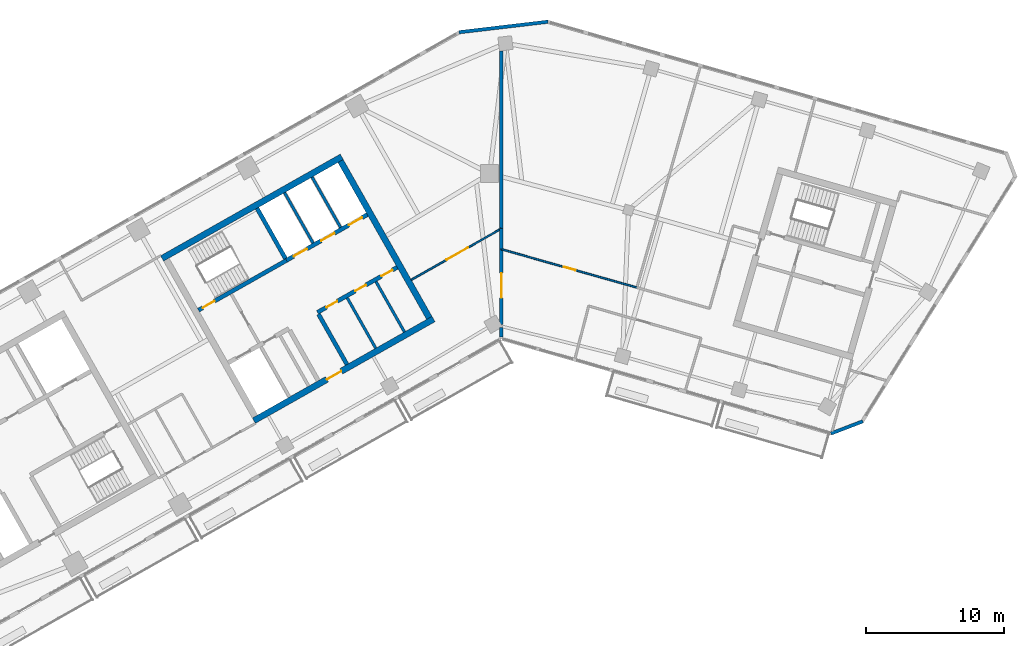
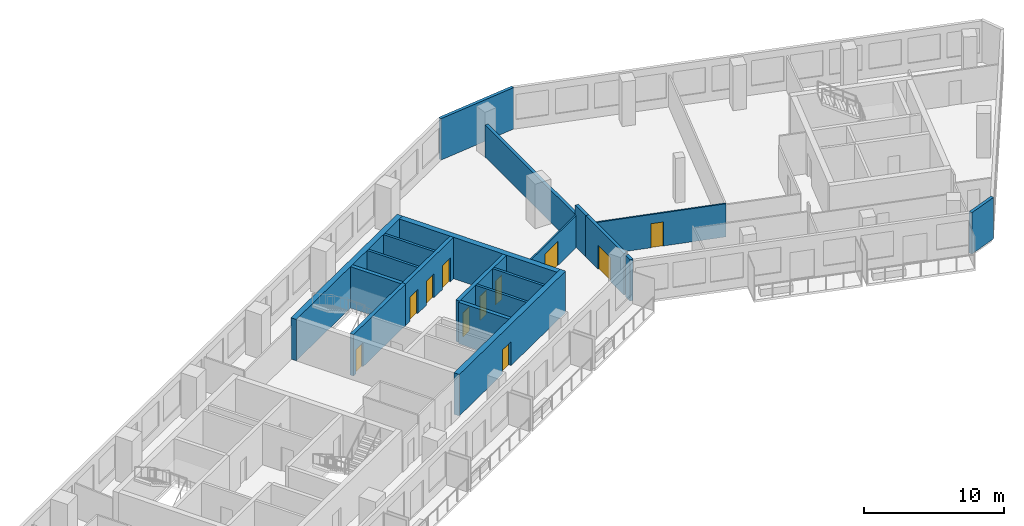
# One storey, part 6 of 12: 20 walls, 11 doors, 11 openings.
"""IFC4 building model written with IfcOpenShell, lengths in metres."""

from ifc_helpers import new_model, si_unit, direction, frame, frame_2d, origin, place, context, subcontext, project, spatial, rectangle, extrude, material, layer, layer_set, type_object, element, fill, save


model = new_model("IFC4")

# Units and contexts
model_context = context("Model", 3, precision=1e-05, world=origin(), true_north=direction((0.0, 1.0)))
body_context = subcontext(model_context, "Body", "Model", "MODEL_VIEW")
ifc_project = project(units=[si_unit("LENGTHUNIT", "METRE"), si_unit("AREAUNIT", "SQUARE_METRE"), si_unit("VOLUMEUNIT", "CUBIC_METRE"), si_unit("PLANEANGLEUNIT", "RADIAN"), si_unit("MASSUNIT", "GRAM", prefix="KILO")], contexts=[model_context])

# Site, building, storey
site_placement = place(None, origin())
site = spatial("IfcSite", under=ifc_project, at=site_placement, CompositionType="ELEMENT")
building_placement = place(site_placement, origin())
building = spatial("IfcBuilding", under=site, at=building_placement, Name="Binnacle Exchange Tower", CompositionType="ELEMENT")
storey_placement = place(building_placement, frame((0.0, 0.0, 242.60009765625)))
storey = spatial("IfcBuildingStorey", under=building, at=storey_placement, Name="L53", CompositionType="ELEMENT", Elevation=242.60009765625)

# Walls
ifc_material_1 = material(Name="Gypsum partition fire rated")
ifc_layer_1 = layer(ifc_material_1, 0.199951171875)
ifc_layer_set_1 = layer_set([ifc_layer_1], Name="Core partition 200")
wall_type_1 = type_object("IfcWallType", Name="Core partition 200", PredefinedType="PARTITIONING", material=ifc_layer_set_1)
wall_1_placement = place(storey_placement, frame((-11.201904296875, 50.96240234375, 0.0), z_axis=(0.0, 0.0, 1.0), x_axis=(0.492453686477, -0.870338650569, 0.0)))
element("IfcWall", 1, at=wall_1_placement, inside=storey, type_object=wall_type_1, Name="Core wall CRWC19", PredefinedType="PARTITIONING", context=body_context, shape_type="SweptSolid", body=[
    extrude(rectangle(XDim=4.2001953125, YDim=0.199951171875, at=frame_2d((2.10009765625, 0.0))), origin(), (0.0, 0.0, 1.0), 3.619873046875),
])
wall_2_placement = place(storey_placement, frame((-9.11279296875, 52.14404296875, 0.0), z_axis=(0.0, 0.0, 1.0), x_axis=(0.492365617434, -0.870388475779, 0.0)))
element("IfcWall", 2, at=wall_2_placement, inside=storey, type_object=wall_type_1, Name="Core wall CRWC22", PredefinedType="PARTITIONING", context=body_context, shape_type="SweptSolid", body=[
    extrude(rectangle(XDim=4.199951171875, YDim=0.199951171875, at=frame_2d((2.10009765625, 0.0))), origin(), (0.0, 0.0, 1.0), 3.619873046875),
])

# Wall, openings, doors
ifc_material_2 = material(Name="Concrete C70/85", Category="concrete")
ifc_layer_2 = layer(ifc_material_2, 0.300048828125)
ifc_layer_set_2 = layer_set([ifc_layer_2], Name="Core wall - front 300")
wall_type_2 = type_object("IfcWallType", Name="Core wall - front 300", PredefinedType="SOLIDWALL", material=ifc_layer_set_2)
wall_3_placement = place(storey_placement, frame((-13.364501953125, 49.910888671875, 0.0), z_axis=(0.0, 0.0, 1.0), x_axis=(0.870352159619, 0.492429810477, 0.0)))
wall_3 = element("IfcWall", 3, at=wall_3_placement, inside=storey, type_object=wall_type_2, Name="Core wall CRWC3", PredefinedType="SOLIDWALL", context=body_context, shape_type="SweptSolid", body=[
    extrude(rectangle(XDim=6.64990234375, YDim=0.300048828125, at=frame_2d((3.324951171875, 0.0))), origin(), (0.0, 0.0, 1.0), 3.619873046875),
])
opening_1_placement = place(wall_3_placement, frame((0.75, 0.0, 0.0)))
opening_1 = element("IfcOpeningElement", 4, at=opening_1_placement, cuts=wall_3, Name="Opening DC18", PredefinedType="OPENING", context=body_context, shape_type="SweptSolid", body=[
    extrude(rectangle(XDim=0.89990234375, YDim=2.10009765625, at=frame_2d((0.449951171875, 1.050048828125))), frame((0.0, 0.159912109375, 0.0), z_axis=(0.0, -1.0, 0.0), x_axis=(1.0, 0.0, 0.0)), (0.0, 0.0, 1.0), 0.320068359375),
])
opening_2_placement = place(wall_3_placement, frame((3.14990234375, 0.0, 0.0)))
opening_2 = element("IfcOpeningElement", 5, at=opening_2_placement, cuts=wall_3, Name="Opening DC19", PredefinedType="OPENING", context=body_context, shape_type="SweptSolid", body=[
    extrude(rectangle(XDim=0.89990234375, YDim=2.10009765625, at=frame_2d((0.449951171875, 1.050048828125))), frame((0.0, 0.159912109375, 0.0), z_axis=(0.0, -1.0, 0.0), x_axis=(1.0, 0.0, 0.0)), (0.0, 0.0, 1.0), 0.320068359375),
])
opening_3_placement = place(wall_3_placement, frame((5.35009765625, 0.0, 0.0)))
opening_3 = element("IfcOpeningElement", 6, at=opening_3_placement, cuts=wall_3, Name="Opening DC20", PredefinedType="OPENING", context=body_context, shape_type="SweptSolid", body=[
    extrude(rectangle(XDim=0.89990234375, YDim=2.10009765625, at=frame_2d((0.449951171875, 1.050048828125))), frame((0.0, 0.159912109375, 0.0), z_axis=(0.0, -1.0, 0.0), x_axis=(1.0, 0.0, 0.0)), (0.0, 0.0, 1.0), 0.320068359375),
])
ifc_material_3 = material(Name="Steel door leaf", Category="steel")
door_type_1 = type_object("IfcDoorType", Name="Fire door 900", OperationType="NOTDEFINED", PredefinedType="DOOR", material=ifc_material_3)
door_1_placement = place(opening_1_placement, frame((0.89990234375, 0.0, 0.0), z_axis=(0.0, 0.0, 1.0), x_axis=(-1.0, 0.0, 0.0)))
door_1 = element("IfcDoor", 7, at=door_1_placement, inside=storey, type_object=door_type_1, Name="Core room door IT STORE", OperationType="SINGLE_SWING_RIGHT", OverallHeight=2.10009765625, OverallWidth=0.89990234375, PredefinedType="DOOR", context=body_context, shape_type="SweptSolid", body=[
    extrude(rectangle(XDim=0.89990234375, YDim=2.10009765625, at=frame_2d((0.449951171875, 1.050048828125))), frame((0.0, 0.02490234375, 0.0), z_axis=(0.0, -1.0, 0.0), x_axis=(1.0, 0.0, 0.0)), (0.0, 0.0, 1.0), 0.050048828125),
])
fill(opening_1, door_1)
door_2_placement = place(opening_2_placement, frame((0.89990234375, 0.0, 0.0), z_axis=(0.0, 0.0, 1.0), x_axis=(-1.0, 0.0, 0.0)))
door_2 = element("IfcDoor", 8, at=door_2_placement, inside=storey, type_object=door_type_1, Name="Core room door UPS CUPBOARD", OperationType="SINGLE_SWING_LEFT", OverallHeight=2.10009765625, OverallWidth=0.89990234375, PredefinedType="DOOR", context=body_context, shape_type="SweptSolid", body=[
    extrude(rectangle(XDim=0.89990234375, YDim=2.10009765625, at=frame_2d((0.449951171875, 1.050048828125))), frame((0.0, 0.02490234375, 0.0), z_axis=(0.0, -1.0, 0.0), x_axis=(1.0, 0.0, 0.0)), (0.0, 0.0, 1.0), 0.050048828125),
])
fill(opening_2, door_2)
door_3_placement = place(opening_3_placement, frame((0.89990234375, 0.0, 0.0), z_axis=(0.0, 0.0, 1.0), x_axis=(-1.0, 0.0, 0.0)))
door_3 = element("IfcDoor", 9, at=door_3_placement, inside=storey, type_object=door_type_1, Name="Core room door FIBRE ENTRY ROOM", OperationType="SINGLE_SWING_LEFT", OverallHeight=2.10009765625, OverallWidth=0.89990234375, PredefinedType="DOOR", context=body_context, shape_type="SweptSolid", body=[
    extrude(rectangle(XDim=0.89990234375, YDim=2.10009765625, at=frame_2d((0.449951171875, 1.050048828125))), frame((0.0, 0.02490234375, 0.0), z_axis=(0.0, -1.0, 0.0), x_axis=(1.0, 0.0, 0.0)), (0.0, 0.0, 1.0), 0.050048828125),
])
fill(opening_3, door_3)

wall_4_placement = place(storey_placement, frame((-15.6181640625, 53.69140625, 0.0), z_axis=(0.0, 0.0, 1.0), x_axis=(0.870358646884, 0.492418344291, 0.0)))
wall_4 = element("IfcWall", 10, at=wall_4_placement, inside=storey, type_object=wall_type_2, Name="Core wall CRWC5", PredefinedType="SOLIDWALL", context=body_context, shape_type="SweptSolid", body=[
    extrude(rectangle(XDim=6.749755859375, YDim=0.300048828125, at=frame_2d((3.375, 0.0))), origin(), (0.0, 0.0, 1.0), 3.619873046875),
])
opening_4_placement = place(wall_4_placement, frame((0.60009765625, 0.0, 0.0)))
opening_4 = element("IfcOpeningElement", 11, at=opening_4_placement, cuts=wall_4, Name="Opening LD5", PredefinedType="OPENING", context=body_context, shape_type="SweptSolid", body=[
    extrude(rectangle(XDim=1.10009765625, YDim=2.10009765625, at=frame_2d((0.550048828125, 1.050048828125))), frame((0.0, 0.159912109375, 0.0), z_axis=(0.0, -1.0, 0.0), x_axis=(1.0, 0.0, 0.0)), (0.0, 0.0, 1.0), 0.320068359375),
])
opening_5_placement = place(wall_4_placement, frame((2.89990234375, 0.0, 0.0)))
opening_5 = element("IfcOpeningElement", 12, at=opening_5_placement, cuts=wall_4, Name="Opening LD6", PredefinedType="OPENING", context=body_context, shape_type="SweptSolid", body=[
    extrude(rectangle(XDim=1.10009765625, YDim=2.10009765625, at=frame_2d((0.550048828125, 1.050048828125))), frame((0.0, 0.159912109375, 0.0), z_axis=(0.0, -1.0, 0.0), x_axis=(1.0, 0.0, 0.0)), (0.0, 0.0, 1.0), 0.320068359375),
])
opening_6_placement = place(wall_4_placement, frame((5.199951171875, 0.0, 0.0)))
opening_6 = element("IfcOpeningElement", 13, at=opening_6_placement, cuts=wall_4, Name="Opening LD7", PredefinedType="OPENING", context=body_context, shape_type="SweptSolid", body=[
    extrude(rectangle(XDim=1.10009765625, YDim=2.10009765625, at=frame_2d((0.550048828125, 1.050048828125))), frame((0.0, 0.159912109375, 0.0), z_axis=(0.0, -1.0, 0.0), x_axis=(1.0, 0.0, 0.0)), (0.0, 0.0, 1.0), 0.320068359375),
])
door_type_2 = type_object("IfcDoorType", Name="Fire door - lift landing 1100", OperationType="NOTDEFINED", PredefinedType="DOOR", material=ifc_material_3)
door_4_placement = place(opening_4_placement, origin())
door_4 = element("IfcDoor", 14, at=door_4_placement, inside=storey, type_object=door_type_2, Name="Landing door LD5 L53", OperationType="DOUBLE_DOOR_SLIDING", OverallHeight=2.10009765625, OverallWidth=1.10009765625, PredefinedType="DOOR", context=body_context, shape_type="SweptSolid", body=[
    extrude(rectangle(XDim=1.10009765625, YDim=2.10009765625, at=frame_2d((0.550048828125, 1.050048828125))), frame((0.0, 0.02490234375, 0.0), z_axis=(0.0, -1.0, 0.0), x_axis=(1.0, 0.0, 0.0)), (0.0, 0.0, 1.0), 0.050048828125),
])
fill(opening_4, door_4)
door_5_placement = place(opening_5_placement, origin())
door_5 = element("IfcDoor", 15, at=door_5_placement, inside=storey, type_object=door_type_2, Name="Landing door LD6 L53", OperationType="DOUBLE_DOOR_SLIDING", OverallHeight=2.10009765625, OverallWidth=1.10009765625, PredefinedType="DOOR", context=body_context, shape_type="SweptSolid", body=[
    extrude(rectangle(XDim=1.10009765625, YDim=2.10009765625, at=frame_2d((0.550048828125, 1.050048828125))), frame((0.0, 0.02490234375, 0.0), z_axis=(0.0, -1.0, 0.0), x_axis=(1.0, 0.0, 0.0)), (0.0, 0.0, 1.0), 0.050048828125),
])
fill(opening_5, door_5)
door_6_placement = place(opening_6_placement, origin())
door_6 = element("IfcDoor", 16, at=door_6_placement, inside=storey, type_object=door_type_2, Name="Landing door LD7 L53", OperationType="DOUBLE_DOOR_SLIDING", OverallHeight=2.10009765625, OverallWidth=1.10009765625, PredefinedType="DOOR", context=body_context, shape_type="SweptSolid", body=[
    extrude(rectangle(XDim=1.10009765625, YDim=2.10009765625, at=frame_2d((0.550048828125, 1.050048828125))), frame((0.0, 0.02490234375, 0.0), z_axis=(0.0, -1.0, 0.0), x_axis=(1.0, 0.0, 0.0)), (0.0, 0.0, 1.0), 0.050048828125),
])
fill(opening_6, door_6)

# Wall
wall_5_placement = place(storey_placement, frame((-13.29052734375, 49.780517578125, 0.0), z_axis=(0.0, 0.0, 1.0), x_axis=(0.492409653846, -0.870363563575, 0.0)))
element("IfcWall", 17, at=wall_5_placement, inside=storey, type_object=wall_type_2, Name="Core wall CRWC15", PredefinedType="SOLIDWALL", context=body_context, shape_type="SweptSolid", body=[
    extrude(rectangle(XDim=4.199951171875, YDim=0.300048828125, at=frame_2d((2.10009765625, 0.0))), origin(), (0.0, 0.0, 1.0), 3.619873046875),
])

# Wall, opening, door
ifc_layer_3 = layer(ifc_material_2, 0.449951171875)
ifc_layer_set_3 = layer_set([ifc_layer_3], Name="Core wall - outer 450")
wall_type_3 = type_object("IfcWallType", Name="Core wall - outer 450", PredefinedType="SOLIDWALL", material=ifc_layer_set_3)
wall_6_placement = place(storey_placement, frame((-17.987548828125, 42.0390625, 0.0), z_axis=(0.0, 0.0, 1.0), x_axis=(0.870360574057, 0.492414937962, 0.0)))
wall_6 = element("IfcWall", 18, at=wall_6_placement, inside=storey, type_object=wall_type_3, Name="Core wall CRWC1", PredefinedType="SOLIDWALL", context=body_context, shape_type="SweptSolid", body=[
    extrude(rectangle(XDim=15.0, YDim=0.449951171875, at=frame_2d((7.5, 0.0))), origin(), (0.0, 0.0, 1.0), 3.619873046875),
])
opening_7_placement = place(wall_6_placement, frame((6.10009765625, 0.0, 0.0)))
opening_7 = element("IfcOpeningElement", 19, at=opening_7_placement, cuts=wall_6, Name="Opening DC7", PredefinedType="OPENING", context=body_context, shape_type="SweptSolid", body=[
    extrude(rectangle(XDim=1.199951171875, YDim=2.10009765625, at=frame_2d((0.60009765625, 1.050048828125))), frame((0.0, 0.23486328125, 0.0), z_axis=(0.0, -1.0, 0.0), x_axis=(1.0, 0.0, 0.0)), (0.0, 0.0, 1.0), 0.469970703125),
])
door_type_3 = type_object("IfcDoorType", Name="Fire door 1200", OperationType="NOTDEFINED", PredefinedType="DOOR", material=ifc_material_3)
door_7_placement = place(opening_7_placement, frame((1.199951171875, 0.0, 0.0), z_axis=(0.0, 0.0, 1.0), x_axis=(-1.0, 0.0, 0.0)))
door_7 = element("IfcDoor", 20, at=door_7_placement, inside=storey, type_object=door_type_3, Name="Lift lobby entrance door core C", OperationType="SINGLE_SWING_RIGHT", OverallHeight=2.10009765625, OverallWidth=1.199951171875, PredefinedType="DOOR", context=body_context, shape_type="SweptSolid", body=[
    extrude(rectangle(XDim=1.199951171875, YDim=2.10009765625, at=frame_2d((0.60009765625, 1.050048828125))), frame((0.0, 0.02490234375, 0.0), z_axis=(0.0, -1.0, 0.0), x_axis=(1.0, 0.0, 0.0)), (0.0, 0.0, 1.0), 0.050048828125),
])
fill(opening_7, door_7)

# Walls
wall_7_placement = place(storey_placement, frame((-24.659912109375, 53.832275390625, 0.0), z_axis=(0.0, 0.0, 1.0), x_axis=(0.870353598469, 0.492427267353, 0.0)))
element("IfcWall", 21, at=wall_7_placement, inside=storey, type_object=wall_type_3, Name="Core wall CRWC6", PredefinedType="SOLIDWALL", context=body_context, shape_type="SweptSolid", body=[
    extrude(rectangle(XDim=15.000244140625, YDim=0.449951171875, at=frame_2d((7.5, 0.0))), origin(), (0.0, 0.0, 1.0), 3.619873046875),
])
wall_8_placement = place(storey_placement, frame((-11.689453125, 60.912109375, 0.0), z_axis=(0.0, 0.0, 1.0), x_axis=(0.492421378713, -0.870356930107, 0.0)))
element("IfcWall", 22, at=wall_8_placement, inside=storey, type_object=wall_type_3, Name="Core wall CRWC24", PredefinedType="SOLIDWALL", context=body_context, shape_type="SweptSolid", body=[
    extrude(rectangle(XDim=13.099853515625, YDim=0.449951171875, at=frame_2d((6.5498046875, 0.0))), origin(), (0.0, 0.0, 1.0), 3.619873046875),
])

# Wall, opening, door
ifc_layer_4 = layer(ifc_material_2, 0.300048828125)
ifc_layer_set_4 = layer_set([ifc_layer_4], Name="Core wall - stair 300")
wall_type_4 = type_object("IfcWallType", Name="Core wall - stair 300", PredefinedType="SOLIDWALL", material=ifc_layer_set_4)
wall_9_placement = place(storey_placement, frame((-22.015380859375, 50.072021484375, 0.0), z_axis=(0.0, 0.0, 1.0), x_axis=(0.870354900257, 0.492424966466, 0.0)))
wall_9 = element("IfcWall", 23, at=wall_9_placement, inside=storey, type_object=wall_type_4, Name="Core wall CRWC4", PredefinedType="SOLIDWALL", context=body_context, shape_type="SweptSolid", body=[
    extrude(rectangle(XDim=7.35009765625, YDim=0.300048828125, at=frame_2d((3.675048828125, 0.0))), origin(), (0.0, 0.0, 1.0), 3.619873046875),
])
opening_8_placement = place(wall_9_placement, frame((0.35009765625, 0.0, 0.0)))
opening_8 = element("IfcOpeningElement", 24, at=opening_8_placement, cuts=wall_9, Name="Opening DC1", PredefinedType="OPENING", context=body_context, shape_type="SweptSolid", body=[
    extrude(rectangle(XDim=1.0, YDim=2.10009765625, at=frame_2d((0.5, 1.050048828125))), frame((0.0, 0.159912109375, 0.0), z_axis=(0.0, -1.0, 0.0), x_axis=(1.0, 0.0, 0.0)), (0.0, 0.0, 1.0), 0.320068359375),
])
door_type_4 = type_object("IfcDoorType", Name="Fire door 1000", OperationType="NOTDEFINED", PredefinedType="DOOR", material=ifc_material_3)
door_8_placement = place(opening_8_placement, origin())
door_8 = element("IfcDoor", 25, at=door_8_placement, inside=storey, type_object=door_type_4, Name="Stair door ST-C1", OperationType="SINGLE_SWING_LEFT", OverallHeight=2.10009765625, OverallWidth=1.0, PredefinedType="DOOR", context=body_context, shape_type="SweptSolid", body=[
    extrude(rectangle(XDim=1.0, YDim=2.10009765625, at=frame_2d((0.5, 1.050048828125))), frame((0.0, 0.02490234375, 0.0), z_axis=(0.0, -1.0, 0.0), x_axis=(1.0, 0.0, 0.0)), (0.0, 0.0, 1.0), 0.050048828125),
])
fill(opening_8, door_8)

# Walls
wall_10_placement = place(storey_placement, frame((-17.76025390625, 57.477294921875, 0.0), z_axis=(0.0, 0.0, 1.0), x_axis=(0.49243456751, -0.870349468157, 0.0)))
element("IfcWall", 26, at=wall_10_placement, inside=storey, type_object=wall_type_4, Name="Core wall CRWC14", PredefinedType="SOLIDWALL", context=body_context, shape_type="SweptSolid", body=[
    extrude(rectangle(XDim=4.19970703125, YDim=0.300048828125, at=frame_2d((2.099853515625, 0.0))), origin(), (0.0, 0.0, 1.0), 3.619873046875),
])
ifc_material_4 = material(Name="Bronze aluminium cladding", Category="aluminium")
ifc_layer_5 = layer(ifc_material_4, 0.25)
ifc_layer_set_5 = layer_set([ifc_layer_5], Name="External wall - window wall 250")
wall_type_5 = type_object("IfcWallType", Name="External wall - window wall 250", PredefinedType="STANDARD", material=ifc_layer_set_5)
wall_11_placement = place(storey_placement, frame((26.27001953125, 41.993408203125, 0.0), z_axis=(0.0, 0.0, 1.0), x_axis=(-0.933573798066, -0.358385216722, 0.0)))
element("IfcWall", 27, at=wall_11_placement, inside=storey, type_object=wall_type_5, Name="External wall EW-G03 L53", PredefinedType="STANDARD", context=body_context, shape_type="SweptSolid", body=[
    extrude(rectangle(XDim=2.479736328125, YDim=0.25, at=frame_2d((1.23974609375, 0.0))), origin(), (0.0, 0.0, 1.0), 3.619873046875),
])
wall_12_placement = place(storey_placement, frame((-3.0712890625, 70.2734375, 0.0), z_axis=(0.0, 0.0, 1.0), x_axis=(0.993064524962, 0.11757061394, 0.0)))
element("IfcWall", 28, at=wall_12_placement, inside=storey, type_object=wall_type_5, Name="External wall EW-G07 L53", PredefinedType="STANDARD", context=body_context, shape_type="SweptSolid", body=[
    extrude(rectangle(XDim=6.505859375, YDim=0.25, at=frame_2d((3.2529296875, 0.0))), origin(), (0.0, 0.0, 1.0), 3.619873046875),
])
ifc_material_5 = material(Name="Concrete fire wall C30/37", Category="concrete")
ifc_layer_6 = layer(ifc_material_5, 0.25)
ifc_layer_set_6 = layer_set([ifc_layer_6], Name="Fire wall - compartment 250")
wall_type_6 = type_object("IfcWallType", Name="Fire wall - compartment 250", PredefinedType="PARTITIONING", material=ifc_layer_set_6)
wall_13_placement = place(storey_placement, frame((0.0, 48.1298828125, 0.0), z_axis=(0.0, 0.0, 1.0), x_axis=(0.0, 1.0, 0.0)))
element("IfcWall", 29, at=wall_13_placement, inside=storey, type_object=wall_type_6, Name="Fire Wall W16", PredefinedType="PARTITIONING", context=body_context, shape_type="SweptSolid", body=[
    extrude(rectangle(XDim=0.674072265625, YDim=0.25, at=frame_2d((0.3369140625, 0.0))), origin(), (0.0, 0.0, 1.0), 3.619873046875),
])

# Wall, opening, door
wall_14_placement = place(storey_placement, frame((0.0, 49.014892578125, 0.0), z_axis=(0.0, 0.0, 1.0), x_axis=(0.0, 1.0, 0.0)))
wall_14 = element("IfcWall", 30, at=wall_14_placement, inside=storey, type_object=wall_type_6, Name="Fire Wall W17", PredefinedType="PARTITIONING", context=body_context, shape_type="SweptSolid", body=[
    extrude(rectangle(XDim=5.485107421875, YDim=0.25, at=frame_2d((2.74267578125, 0.0))), origin(), (0.0, 0.0, 1.0), 3.619873046875),
])
opening_9_placement = place(wall_14_placement, frame((1.949951171875, 0.0, 0.0)))
opening_9 = element("IfcOpeningElement", 31, at=opening_9_placement, cuts=wall_14, Name="Opening DL52-12", PredefinedType="OPENING", context=body_context, shape_type="SweptSolid", body=[
    extrude(rectangle(XDim=1.800048828125, YDim=2.10009765625, at=frame_2d((0.89990234375, 1.050048828125))), frame((0.0, 0.135009765625, 0.0), z_axis=(0.0, -1.0, 0.0), x_axis=(1.0, 0.0, 0.0)), (0.0, 0.0, 1.0), 0.27001953125),
])
door_type_5 = type_object("IfcDoorType", Name="Fire door 1800", OperationType="NOTDEFINED", PredefinedType="DOOR", material=ifc_material_3)
door_9_placement = place(opening_9_placement, origin())
door_9 = element("IfcDoor", 32, at=door_9_placement, inside=storey, type_object=door_type_5, Name="Door DL52-12", OperationType="DOUBLE_DOOR_SINGLE_SWING", OverallHeight=2.10009765625, OverallWidth=1.800048828125, PredefinedType="DOOR", context=body_context, shape_type="SweptSolid", body=[
    extrude(rectangle(XDim=1.800048828125, YDim=2.10009765625, at=frame_2d((0.89990234375, 1.050048828125))), frame((0.0, 0.02490234375, 0.0), z_axis=(0.0, -1.0, 0.0), x_axis=(1.0, 0.0, 0.0)), (0.0, 0.0, 1.0), 0.050048828125),
])
fill(opening_9, door_9)

# Walls
wall_15_placement = place(storey_placement, frame((0.0, 54.5, 0.0), z_axis=(0.0, 0.0, 1.0), x_axis=(0.0, 1.0, 0.0)))
element("IfcWall", 33, at=wall_15_placement, inside=storey, type_object=wall_type_6, Name="Fire Wall W18", PredefinedType="PARTITIONING", context=body_context, shape_type="SweptSolid", body=[
    extrude(rectangle(XDim=1.5, YDim=0.25, at=frame_2d((0.75, 0.0))), origin(), (0.0, 0.0, 1.0), 3.619873046875),
])
wall_16_placement = place(storey_placement, frame((0.0, 56.0, 0.0), z_axis=(0.0, 0.0, 1.0), x_axis=(0.0, 1.0, 0.0)))
element("IfcWall", 34, at=wall_16_placement, inside=storey, type_object=wall_type_6, Name="Fire Wall W20", PredefinedType="PARTITIONING", context=body_context, shape_type="SweptSolid", body=[
    extrude(rectangle(XDim=12.925048828125, YDim=0.25, at=frame_2d((6.46240234375, 0.0))), origin(), (0.0, 0.0, 1.0), 2.7998046875),
])

# Wall, opening, door
ifc_material_6 = material(Name="Gypsum partition")
ifc_layer_7 = layer(ifc_material_6, 0.125)
ifc_layer_set_7 = layer_set([ifc_layer_7], Name="Partition 125")
wall_type_7 = type_object("IfcWallType", Name="Partition 125", PredefinedType="PARTITIONING", material=ifc_layer_set_7)
wall_17_placement = place(storey_placement, frame((-6.544921875, 52.27587890625, 0.0), z_axis=(0.0, 0.0, 1.0), x_axis=(0.869147493537, 0.49455296428, 0.0)))
wall_17 = element("IfcWall", 35, at=wall_17_placement, inside=storey, type_object=wall_type_7, Name="Partition W15", PredefinedType="PARTITIONING", context=body_context, shape_type="SweptSolid", body=[
    extrude(rectangle(XDim=7.5302734375, YDim=0.125, at=frame_2d((3.76513671875, 0.0))), origin(), (0.0, 0.0, 1.0), 2.7998046875),
])
opening_10_placement = place(wall_17_placement, frame((2.949951171875, 0.0, 0.0)))
opening_10 = element("IfcOpeningElement", 36, at=opening_10_placement, cuts=wall_17, Name="Opening DL52-05", PredefinedType="OPENING", context=body_context, shape_type="SweptSolid", body=[
    extrude(rectangle(XDim=1.800048828125, YDim=2.10009765625, at=frame_2d((0.89990234375, 1.050048828125))), frame((0.0, 0.072509765625, 0.0), z_axis=(0.0, -1.0, 0.0), x_axis=(1.0, 0.0, 0.0)), (0.0, 0.0, 1.0), 0.14501953125),
])
ifc_material_7 = material(Name="Timber door leaf", Category="wood")
door_type_6 = type_object("IfcDoorType", Name="Double door 1800", OperationType="NOTDEFINED", PredefinedType="DOOR", material=ifc_material_7)
door_10_placement = place(opening_10_placement, origin())
door_10 = element("IfcDoor", 37, at=door_10_placement, inside=storey, type_object=door_type_6, Name="Door DL52-05", OperationType="DOUBLE_DOOR_SINGLE_SWING", OverallHeight=2.10009765625, OverallWidth=1.800048828125, PredefinedType="DOOR", context=body_context, shape_type="SweptSolid", body=[
    extrude(rectangle(XDim=1.800048828125, YDim=2.10009765625, at=frame_2d((0.89990234375, 1.050048828125))), frame((0.0, 0.02490234375, 0.0), z_axis=(0.0, -1.0, 0.0), x_axis=(1.0, 0.0, 0.0)), (0.0, 0.0, 1.0), 0.050048828125),
])
fill(opening_10, door_10)

wall_18_placement = place(storey_placement, frame((0.0, 54.5, 0.0), z_axis=(0.0, 0.0, 1.0), x_axis=(0.962263108276, -0.272120764462, 0.0)))
wall_18 = element("IfcWall", 38, at=wall_18_placement, inside=storey, type_object=wall_type_7, Name="Partition W19", PredefinedType="PARTITIONING", context=body_context, shape_type="SweptSolid", body=[
    extrude(rectangle(XDim=10.234130859375, YDim=0.125, at=frame_2d((5.1171875, 0.0))), origin(), (0.0, 0.0, 1.0), 2.89990234375),
])
opening_11_placement = place(wall_18_placement, frame((4.699951171875, 0.0, 0.0)))
opening_11 = element("IfcOpeningElement", 39, at=opening_11_placement, cuts=wall_18, Name="Opening DL52-06", PredefinedType="OPENING", context=body_context, shape_type="SweptSolid", body=[
    extrude(rectangle(XDim=0.89990234375, YDim=2.10009765625, at=frame_2d((0.449951171875, 1.050048828125))), frame((0.0, 0.072509765625, 0.0), z_axis=(0.0, -1.0, 0.0), x_axis=(1.0, 0.0, 0.0)), (0.0, 0.0, 1.0), 0.14501953125),
])
door_type_7 = type_object("IfcDoorType", Name="Door 900", OperationType="NOTDEFINED", PredefinedType="DOOR", material=ifc_material_7)
door_11_placement = place(opening_11_placement, origin())
door_11 = element("IfcDoor", 40, at=door_11_placement, inside=storey, type_object=door_type_7, Name="Door DL52-06", OperationType="SINGLE_SWING_RIGHT", OverallHeight=2.10009765625, OverallWidth=0.89990234375, PredefinedType="DOOR", context=body_context, shape_type="SweptSolid", body=[
    extrude(rectangle(XDim=0.89990234375, YDim=2.10009765625, at=frame_2d((0.449951171875, 1.050048828125))), frame((0.0, 0.02490234375, 0.0), z_axis=(0.0, -1.0, 0.0), x_axis=(1.0, 0.0, 0.0)), (0.0, 0.0, 1.0), 0.050048828125),
])
fill(opening_11, door_11)

# Walls
ifc_material_8 = material(Name="Masonry block wall", Category="masonry")
ifc_layer_8 = layer(ifc_material_8, 0.199951171875)
ifc_layer_set_8 = layer_set([ifc_layer_8], Name="Shaft wall 200")
wall_type_8 = type_object("IfcWallType", Name="Shaft wall 200", PredefinedType="SOLIDWALL", material=ifc_layer_set_8)
for number, where, z_axis, x_axis, name in (
    (41, (-15.75830078125, 58.60986328125, 0.0), (0.0, 0.0, 1.0), (0.492409653846, -0.870363563575, 0.0), "Core wall CRWC18"),
    (42, (-13.756591796875, 59.742431640625, 0.0), (0.0, 0.0, 1.0), (0.492409653846, -0.870363563575, 0.0), "Core wall CRWC21"),
):
    element("IfcWall", number, at=place(storey_placement, frame(where, z_axis=z_axis, x_axis=x_axis)), inside=storey, type_object=wall_type_8, Name=name, PredefinedType="SOLIDWALL", context=body_context, shape_type="SweptSolid", body=[
        extrude(rectangle(XDim=4.199951171875, YDim=0.199951171875, at=frame_2d((2.10009765625, 0.0))), origin(), (0.0, 0.0, 1.0), 3.619873046875),
    ])

save(model, "model.ifc")
